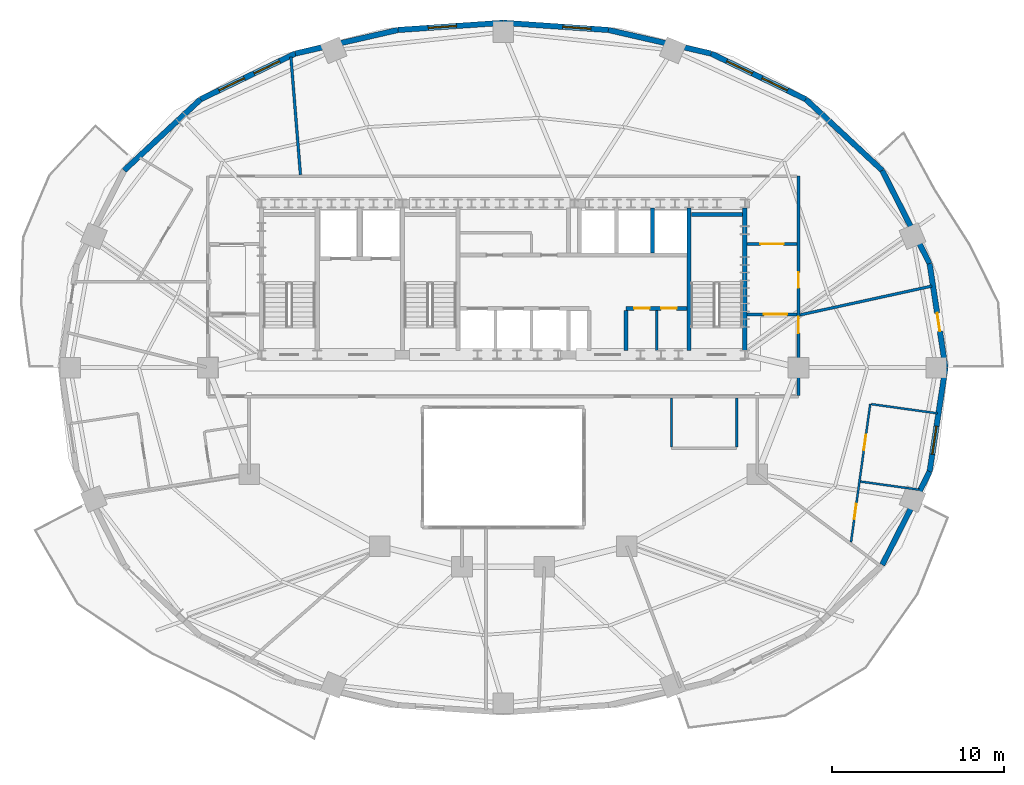
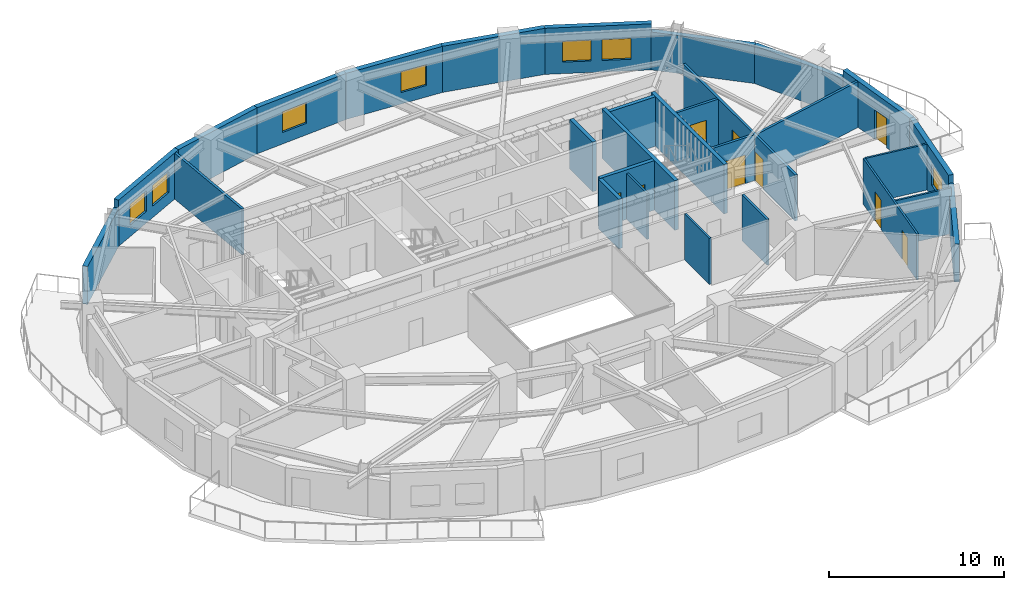
# One storey, part 8 of 12: 29 walls, 9 doors, 7 windows, 16 openings.
"""IFC4 building model written with IfcOpenShell, lengths in metres."""

from ifc_helpers import new_model, si_unit, direction, frame, frame_2d, origin, place, context, subcontext, project, spatial, rectangle, extrude, material, layer, layer_set, type_object, element, fill, save


model = new_model("IFC4")

# Units and contexts
model_context = context("Model", 3, precision=1e-05, world=origin(), true_north=direction((0.0, 1.0)))
body_context = subcontext(model_context, "Body", "Model", "MODEL_VIEW")
ifc_project = project(units=[si_unit("LENGTHUNIT", "METRE"), si_unit("AREAUNIT", "SQUARE_METRE"), si_unit("VOLUMEUNIT", "CUBIC_METRE"), si_unit("PLANEANGLEUNIT", "RADIAN"), si_unit("MASSUNIT", "GRAM", prefix="KILO")], contexts=[model_context])

# Site, building, storey
site_placement = place(None, origin())
site = spatial("IfcSite", under=ifc_project, at=site_placement, CompositionType="ELEMENT")
building_placement = place(site_placement, origin())
building = spatial("IfcBuilding", under=site, at=building_placement, Name="Haldorwick Loom Tower", CompositionType="ELEMENT")
storey_placement = place(building_placement, frame((0.0, 0.0, 154.449951171875)))
storey = spatial("IfcBuildingStorey", under=building, at=storey_placement, Name="L41", CompositionType="ELEMENT", Elevation=154.449951171875)

# Wall, opening, door
ifc_material_1 = material(Name="Pressed Clay Face Brick and Insulated Masonry Backup Assembly", Category="masonry")
ifc_layer_1 = layer(ifc_material_1, 0.320068359375, Name="Pressed Clay Face Brick and Insulated Masonry Backup Assembly", Category="masonry")
ifc_layer_set_1 = layer_set([ifc_layer_1], Name="Pressed Clay Face Brick and Insulated Masonry Backup Assembly")
wall_type_1 = type_object("IfcWallType", Name="ARC-WL-EXT320", PredefinedType="STANDARD", material=ifc_layer_set_1)
wall_1_placement = place(storey_placement, frame((61.757080078125, 26.0, 0.0), z_axis=(0.0, 0.0, 1.0), x_axis=(-0.150544467684, 0.988603238539, 0.0)))
wall_1 = element("IfcWall", 1, at=wall_1_placement, inside=storey, type_object=wall_type_1, Name="L41 Brick Pier and Spandrel Wall 1", PredefinedType="STANDARD", context=body_context, shape_type="SweptSolid", body=[
    extrude(rectangle(XDim=6.125244140625, YDim=0.320068359375, at=frame_2d((3.0625, 0.0))), origin(), (0.0, 0.0, 1.0), 3.2099609375),
])
opening_1_placement = place(wall_1_placement, frame((2.1337890625, 0.0, 0.0)))
opening_1 = element("IfcOpeningElement", 2, at=opening_1_placement, cuts=wall_1, Name="Opening D-BL11", PredefinedType="OPENING", context=body_context, shape_type="SweptSolid", body=[
    extrude(rectangle(XDim=1.080078125, YDim=2.0400390625, at=frame_2d((0.5400390625, 1.02001953125))), frame((0.0, 0.169921875, 0.0), z_axis=(0.0, -1.0, 0.0), x_axis=(1.0, 0.0, 0.0)), (0.0, 0.0, 1.0), 0.340087890625),
])
ifc_material_2 = material(Name="Thermally Broken Anodized Aluminium Curtain Wall Framing", Category="aluminium")
door_type_1 = type_object("IfcDoorType", Name="ARC-DR-BAL110", OperationType="NOTDEFINED", PredefinedType="DOOR", material=ifc_material_2)
door_1_placement = place(opening_1_placement, origin())
door_1 = element("IfcDoor", 3, at=door_1_placement, inside=storey, type_object=door_type_1, Name="L41 Outdoor Terrace Door SLB-L41-BAL_ENE", OperationType="SINGLE_SWING_RIGHT", OverallHeight=2.0400390625, OverallWidth=1.080078125, PredefinedType="DOOR", context=body_context, shape_type="SweptSolid", body=[
    extrude(rectangle(XDim=1.080078125, YDim=2.0400390625, at=frame_2d((0.5400390625, 1.02001953125))), frame((0.0, 0.02490234375, 0.0), z_axis=(0.0, -1.0, 0.0), x_axis=(1.0, 0.0, 0.0)), (0.0, 0.0, 1.0), 0.050048828125),
])
fill(opening_1, door_1)

# Walls
wall_2_placement = place(storey_placement, frame((60.8349609375, 32.055419921875, 0.0), z_axis=(0.0, 0.0, 1.0), x_axis=(-0.453172129629, 0.89142303141, 0.0)))
element("IfcWall", 4, at=wall_2_placement, inside=storey, type_object=wall_type_1, Name="L41 Brick Pier and Spandrel Wall 2", PredefinedType="STANDARD", context=body_context, shape_type="SweptSolid", body=[
    extrude(rectangle(XDim=6.086669921875, YDim=0.320068359375, at=frame_2d((3.04345703125, 0.0))), origin(), (0.0, 0.0, 1.0), 2.64111328125),
])
wall_3_placement = place(storey_placement, frame((58.07666015625, 37.481201171875, 0.0), z_axis=(0.0, 0.0, 1.0), x_axis=(-0.732001571644, 0.681302942244, 0.0)))
element("IfcWall", 5, at=wall_3_placement, inside=storey, type_object=wall_type_1, Name="L41 Brick Pier and Spandrel Wall 3", PredefinedType="STANDARD", context=body_context, shape_type="SweptSolid", body=[
    extrude(rectangle(XDim=6.0869140625, YDim=0.320068359375, at=frame_2d((3.04345703125, 0.0))), origin(), (0.0, 0.0, 1.0), 2.64111328125),
])

# Wall, openings, windows
wall_4_placement = place(storey_placement, frame((53.62109375, 41.628173828125, 0.0), z_axis=(0.0, 0.0, 1.0), x_axis=(-0.900472429216, 0.43491309962, 0.0)))
wall_4 = element("IfcWall", 6, at=wall_4_placement, inside=storey, type_object=wall_type_1, Name="L41 Brick Pier and Spandrel Wall 4", PredefinedType="STANDARD", context=body_context, shape_type="SweptSolid", body=[
    extrude(rectangle(XDim=6.1181640625, YDim=0.320068359375, at=frame_2d((3.05908203125, 0.0))), origin(), (0.0, 0.0, 1.0), 3.2099609375),
])
opening_2_placement = place(wall_4_placement, frame((1.181884765625, 0.0, 0.800048828125)))
opening_2 = element("IfcOpeningElement", 7, at=opening_2_placement, cuts=wall_4, Name="Opening W-01B", PredefinedType="OPENING", context=body_context, shape_type="SweptSolid", body=[
    extrude(rectangle(XDim=1.64990234375, YDim=1.449951171875, at=frame_2d((0.824951171875, 0.72509765625))), frame((0.0, 0.169921875, 0.0), z_axis=(0.0, -1.0, 0.0), x_axis=(1.0, 0.0, 0.0)), (0.0, 0.0, 1.0), 0.340087890625),
])
opening_3_placement = place(wall_4_placement, frame((3.4580078125, 0.0, 0.800048828125)))
opening_3 = element("IfcOpeningElement", 8, at=opening_3_placement, cuts=wall_4, Name="Opening W-01B", PredefinedType="OPENING", context=body_context, shape_type="SweptSolid", body=[
    extrude(rectangle(XDim=1.64990234375, YDim=1.449951171875, at=frame_2d((0.824951171875, 0.72509765625))), frame((0.0, 0.169921875, 0.0), z_axis=(0.0, -1.0, 0.0), x_axis=(1.0, 0.0, 0.0)), (0.0, 0.0, 1.0), 0.340087890625),
])
ifc_material_3 = material(Name="Triple-Glazed Low-E Argon Insulated Glazing Unit", Category="glass")
window_type = type_object("IfcWindowType", Name="ARC-WIN-W165", PartitioningType="SINGLE_PANEL", PredefinedType="WINDOW", material=ifc_material_3)
window_1_placement = place(opening_2_placement, origin())
window_1 = element("IfcWindow", 9, at=window_1_placement, inside=storey, type_object=window_type, Name="L41 Deep-Set Zone 7A Window 4", OverallHeight=1.449951171875, OverallWidth=1.64990234375, PartitioningType="SINGLE_PANEL", PredefinedType="WINDOW", context=body_context, shape_type="SweptSolid", body=[
    extrude(rectangle(XDim=1.64990234375, YDim=1.449951171875, at=frame_2d((0.824951171875, 0.72509765625))), frame((0.0, 0.030029296875, 0.0), z_axis=(0.0, -1.0, 0.0), x_axis=(1.0, 0.0, 0.0)), (0.0, 0.0, 1.0), 0.06005859375),
])
fill(opening_2, window_1)
window_2_placement = place(opening_3_placement, origin())
window_2 = element("IfcWindow", 10, at=window_2_placement, inside=storey, type_object=window_type, Name="L41 Deep-Set Zone 7A Window 4", OverallHeight=1.449951171875, OverallWidth=1.64990234375, PartitioningType="SINGLE_PANEL", PredefinedType="WINDOW", context=body_context, shape_type="SweptSolid", body=[
    extrude(rectangle(XDim=1.64990234375, YDim=1.449951171875, at=frame_2d((0.824951171875, 0.72509765625))), frame((0.0, 0.030029296875, 0.0), z_axis=(0.0, -1.0, 0.0), x_axis=(1.0, 0.0, 0.0)), (0.0, 0.0, 1.0), 0.06005859375),
])
fill(opening_3, window_2)

# Wall
wall_5_placement = place(storey_placement, frame((48.11181640625, 44.2890625, 0.0), z_axis=(0.0, 0.0, 1.0), x_axis=(-0.974593223547, 0.223982250674, 0.0)))
element("IfcWall", 11, at=wall_5_placement, inside=storey, type_object=wall_type_1, Name="L41 Brick Pier and Spandrel Wall 5", PredefinedType="STANDARD", context=body_context, shape_type="SweptSolid", body=[
    extrude(rectangle(XDim=6.138916015625, YDim=0.320068359375, at=frame_2d((3.0693359375, 0.0))), origin(), (0.0, 0.0, 1.0), 3.2099609375),
])

# Wall, opening, window
wall_6_placement = place(storey_placement, frame((42.12890625, 45.6640625, 0.0), z_axis=(0.0, 0.0, 1.0), x_axis=(-0.997652942988, 0.068473391522, 0.0)))
wall_6 = element("IfcWall", 12, at=wall_6_placement, inside=storey, type_object=wall_type_1, Name="L41 Brick Pier and Spandrel Wall 6", PredefinedType="STANDARD", context=body_context, shape_type="SweptSolid", body=[
    extrude(rectangle(XDim=6.143310546875, YDim=0.320068359375, at=frame_2d((3.07177734375, 0.0))), origin(), (0.0, 0.0, 1.0), 3.2099609375),
])
opening_4_placement = place(wall_6_placement, frame((1.01806640625, 0.0, 0.800048828125)))
opening_4 = element("IfcOpeningElement", 13, at=opening_4_placement, cuts=wall_6, Name="Opening W-01B", PredefinedType="OPENING", context=body_context, shape_type="SweptSolid", body=[
    extrude(rectangle(XDim=1.64990234375, YDim=1.449951171875, at=frame_2d((0.824951171875, 0.72509765625))), frame((0.0, 0.169921875, 0.0), z_axis=(0.0, -1.0, 0.0), x_axis=(1.0, 0.0, 0.0)), (0.0, 0.0, 1.0), 0.340087890625),
])
window_3_placement = place(opening_4_placement, origin())
window_3 = element("IfcWindow", 14, at=window_3_placement, inside=storey, type_object=window_type, Name="L41 Deep-Set Zone 7A Window 6", OverallHeight=1.449951171875, OverallWidth=1.64990234375, PartitioningType="SINGLE_PANEL", PredefinedType="WINDOW", context=body_context, shape_type="SweptSolid", body=[
    extrude(rectangle(XDim=1.64990234375, YDim=1.449951171875, at=frame_2d((0.824951171875, 0.72509765625))), frame((0.0, 0.030029296875, 0.0), z_axis=(0.0, -1.0, 0.0), x_axis=(1.0, 0.0, 0.0)), (0.0, 0.0, 1.0), 0.06005859375),
])
fill(opening_4, window_3)

wall_7_placement = place(storey_placement, frame((36.0, 46.084716796875, 0.0), z_axis=(0.0, 0.0, 1.0), x_axis=(-0.997652942988, -0.068473391522, 0.0)))
wall_7 = element("IfcWall", 15, at=wall_7_placement, inside=storey, type_object=wall_type_1, Name="L41 Brick Pier and Spandrel Wall 7", PredefinedType="STANDARD", context=body_context, shape_type="SweptSolid", body=[
    extrude(rectangle(XDim=6.143310546875, YDim=0.320068359375, at=frame_2d((3.07177734375, 0.0))), origin(), (0.0, 0.0, 1.0), 3.2099609375),
])
opening_5_placement = place(wall_7_placement, frame((2.723388671875, 0.0, 0.800048828125)))
opening_5 = element("IfcOpeningElement", 16, at=opening_5_placement, cuts=wall_7, Name="Opening W-01B", PredefinedType="OPENING", context=body_context, shape_type="SweptSolid", body=[
    extrude(rectangle(XDim=1.64990234375, YDim=1.449951171875, at=frame_2d((0.824951171875, 0.72509765625))), frame((0.0, 0.169921875, 0.0), z_axis=(0.0, -1.0, 0.0), x_axis=(1.0, 0.0, 0.0)), (0.0, 0.0, 1.0), 0.340087890625),
])
window_4_placement = place(opening_5_placement, origin())
window_4 = element("IfcWindow", 17, at=window_4_placement, inside=storey, type_object=window_type, Name="L41 Deep-Set Zone 7A Window 7", OverallHeight=1.449951171875, OverallWidth=1.64990234375, PartitioningType="SINGLE_PANEL", PredefinedType="WINDOW", context=body_context, shape_type="SweptSolid", body=[
    extrude(rectangle(XDim=1.64990234375, YDim=1.449951171875, at=frame_2d((0.824951171875, 0.72509765625))), frame((0.0, 0.030029296875, 0.0), z_axis=(0.0, -1.0, 0.0), x_axis=(1.0, 0.0, 0.0)), (0.0, 0.0, 1.0), 0.06005859375),
])
fill(opening_5, window_4)

# Wall
wall_8_placement = place(storey_placement, frame((29.87109375, 45.6640625, 0.0), z_axis=(0.0, 0.0, 1.0), x_axis=(-0.974593223547, -0.223982250674, 0.0)))
element("IfcWall", 18, at=wall_8_placement, inside=storey, type_object=wall_type_1, Name="L41 Brick Pier and Spandrel Wall 8", PredefinedType="STANDARD", context=body_context, shape_type="SweptSolid", body=[
    extrude(rectangle(XDim=6.138916015625, YDim=0.320068359375, at=frame_2d((3.0693359375, 0.0))), origin(), (0.0, 0.0, 1.0), 3.2099609375),
])

# Wall, openings, windows
wall_9_placement = place(storey_placement, frame((23.88818359375, 44.2890625, 0.0), z_axis=(0.0, 0.0, 1.0), x_axis=(-0.900479976617, -0.434897472644, 0.0)))
wall_9 = element("IfcWall", 19, at=wall_9_placement, inside=storey, type_object=wall_type_1, Name="L41 Brick Pier and Spandrel Wall 9", PredefinedType="STANDARD", context=body_context, shape_type="SweptSolid", body=[
    extrude(rectangle(XDim=6.118408203125, YDim=0.320068359375, at=frame_2d((3.05908203125, 0.0))), origin(), (0.0, 0.0, 1.0), 3.2099609375),
])
opening_6_placement = place(wall_9_placement, frame((1.010498046875, 0.0, 0.800048828125)))
opening_6 = element("IfcOpeningElement", 20, at=opening_6_placement, cuts=wall_9, Name="Opening W-01B", PredefinedType="OPENING", context=body_context, shape_type="SweptSolid", body=[
    extrude(rectangle(XDim=1.64990234375, YDim=1.449951171875, at=frame_2d((0.824951171875, 0.72509765625))), frame((0.0, 0.169921875, 0.0), z_axis=(0.0, -1.0, 0.0), x_axis=(1.0, 0.0, 0.0)), (0.0, 0.0, 1.0), 0.340087890625),
])
opening_7_placement = place(wall_9_placement, frame((3.28662109375, 0.0, 0.800048828125)))
opening_7 = element("IfcOpeningElement", 21, at=opening_7_placement, cuts=wall_9, Name="Opening W-01B", PredefinedType="OPENING", context=body_context, shape_type="SweptSolid", body=[
    extrude(rectangle(XDim=1.64990234375, YDim=1.449951171875, at=frame_2d((0.824951171875, 0.72509765625))), frame((0.0, 0.169921875, 0.0), z_axis=(0.0, -1.0, 0.0), x_axis=(1.0, 0.0, 0.0)), (0.0, 0.0, 1.0), 0.340087890625),
])
window_5_placement = place(opening_6_placement, origin())
window_5 = element("IfcWindow", 22, at=window_5_placement, inside=storey, type_object=window_type, Name="L41 Deep-Set Zone 7A Window 9", OverallHeight=1.449951171875, OverallWidth=1.64990234375, PartitioningType="SINGLE_PANEL", PredefinedType="WINDOW", context=body_context, shape_type="SweptSolid", body=[
    extrude(rectangle(XDim=1.64990234375, YDim=1.449951171875, at=frame_2d((0.824951171875, 0.72509765625))), frame((0.0, 0.030029296875, 0.0), z_axis=(0.0, -1.0, 0.0), x_axis=(1.0, 0.0, 0.0)), (0.0, 0.0, 1.0), 0.06005859375),
])
fill(opening_6, window_5)
window_6_placement = place(opening_7_placement, origin())
window_6 = element("IfcWindow", 23, at=window_6_placement, inside=storey, type_object=window_type, Name="L41 Deep-Set Zone 7A Window 9", OverallHeight=1.449951171875, OverallWidth=1.64990234375, PartitioningType="SINGLE_PANEL", PredefinedType="WINDOW", context=body_context, shape_type="SweptSolid", body=[
    extrude(rectangle(XDim=1.64990234375, YDim=1.449951171875, at=frame_2d((0.824951171875, 0.72509765625))), frame((0.0, 0.030029296875, 0.0), z_axis=(0.0, -1.0, 0.0), x_axis=(1.0, 0.0, 0.0)), (0.0, 0.0, 1.0), 0.06005859375),
])
fill(opening_7, window_6)

# Walls
for number, where, z_axis, x_axis, name in (
    (24, (18.378662109375, 41.628173828125, 0.0), (0.0, 0.0, 1.0), (-0.731982952968, -0.681322945866, 0.0), "L41 Brick Pier and Spandrel Wall 10"),
    (25, (58.07666015625, 14.518798828125, 0.0), (0.0, 0.0, 1.0), (0.453172129629, 0.89142303141, 0.0), "L41 Brick Pier and Spandrel Wall 23"),
):
    element("IfcWall", number, at=place(storey_placement, frame(where, z_axis=z_axis, x_axis=x_axis)), inside=storey, type_object=wall_type_1, Name=name, PredefinedType="STANDARD", context=body_context, shape_type="SweptSolid", body=[
        extrude(rectangle(XDim=6.086669921875, YDim=0.320068359375, at=frame_2d((3.04345703125, 0.0))), origin(), (0.0, 0.0, 1.0), 2.64111328125),
    ])

# Wall, opening, window
wall_10_placement = place(storey_placement, frame((60.8349609375, 19.944580078125, 0.0), z_axis=(0.0, 0.0, 1.0), x_axis=(0.150544467684, 0.988603238539, 0.0)))
wall_10 = element("IfcWall", 26, at=wall_10_placement, inside=storey, type_object=wall_type_1, Name="L41 Brick Pier and Spandrel Wall 24", PredefinedType="STANDARD", context=body_context, shape_type="SweptSolid", body=[
    extrude(rectangle(XDim=6.125244140625, YDim=0.320068359375, at=frame_2d((3.0625, 0.0))), origin(), (0.0, 0.0, 1.0), 3.2099609375),
])
opening_8_placement = place(wall_10_placement, frame((1.0126953125, 0.0, 0.800048828125)))
opening_8 = element("IfcOpeningElement", 27, at=opening_8_placement, cuts=wall_10, Name="Opening W-01B", PredefinedType="OPENING", context=body_context, shape_type="SweptSolid", body=[
    extrude(rectangle(XDim=1.64990234375, YDim=1.449951171875, at=frame_2d((0.824951171875, 0.72509765625))), frame((0.0, 0.169921875, 0.0), z_axis=(0.0, -1.0, 0.0), x_axis=(1.0, 0.0, 0.0)), (0.0, 0.0, 1.0), 0.340087890625),
])
window_7_placement = place(opening_8_placement, origin())
window_7 = element("IfcWindow", 28, at=window_7_placement, inside=storey, type_object=window_type, Name="L41 Deep-Set Zone 7A Window 24", OverallHeight=1.449951171875, OverallWidth=1.64990234375, PartitioningType="SINGLE_PANEL", PredefinedType="WINDOW", context=body_context, shape_type="SweptSolid", body=[
    extrude(rectangle(XDim=1.64990234375, YDim=1.449951171875, at=frame_2d((0.824951171875, 0.72509765625))), frame((0.0, 0.030029296875, 0.0), z_axis=(0.0, -1.0, 0.0), x_axis=(1.0, 0.0, 0.0)), (0.0, 0.0, 1.0), 0.06005859375),
])
fill(opening_8, window_7)

# Wall, openings, doors
ifc_material_4 = material(Name="Fire-Rated Type X Gypsum Stud Assembly EI 60")
ifc_layer_2 = layer(ifc_material_4, 0.159912109375, Name="Fire-Rated Type X Gypsum Stud Assembly EI 60")
ifc_layer_set_2 = layer_set([ifc_layer_2], Name="Fire-Rated Type X Gypsum Stud Assembly EI 60")
wall_type_2 = type_object("IfcWallType", Name="ARC-WL-FIRE160", PredefinedType="PARTITIONING", material=ifc_layer_set_2)
wall_11_placement = place(storey_placement, frame((53.199951171875, 24.383056640625, 0.0), z_axis=(0.0, 0.0, 1.0), x_axis=(0.0, 1.0, 0.0)))
wall_11 = element("IfcWall", 29, at=wall_11_placement, inside=storey, type_object=wall_type_2, Name="L41 Residential Fire Partition L41-CR-E0", PredefinedType="PARTITIONING", context=body_context, shape_type="SweptSolid", body=[
    extrude(rectangle(XDim=12.766845703125, YDim=0.159912109375, at=frame_2d((6.38330078125, 0.0))), origin(), (0.0, 0.0, 1.0), 3.195068359375),
])
opening_9_placement = place(wall_11_placement, frame((3.63232421875, 0.0, 0.0)))
opening_9 = element("IfcOpeningElement", 30, at=opening_9_placement, cuts=wall_11, Name="Opening D-FL95", PredefinedType="OPENING", context=body_context, shape_type="SweptSolid", body=[
    extrude(rectangle(XDim=0.949951171875, YDim=2.0400390625, at=frame_2d((0.47509765625, 1.02001953125))), frame((0.0, 0.08984375, 0.0), z_axis=(0.0, -1.0, 0.0), x_axis=(1.0, 0.0, 0.0)), (0.0, 0.0, 1.0), 0.179931640625),
])
opening_10_placement = place(wall_11_placement, frame((6.263671875, 0.0, 0.0)))
opening_10 = element("IfcOpeningElement", 31, at=opening_10_placement, cuts=wall_11, Name="Opening D-FD60A", PredefinedType="OPENING", context=body_context, shape_type="SweptSolid", body=[
    extrude(rectangle(XDim=0.89990234375, YDim=2.0, at=frame_2d((0.449951171875, 1.0))), frame((0.0, 0.08984375, 0.0), z_axis=(0.0, -1.0, 0.0), x_axis=(1.0, 0.0, 0.0)), (0.0, 0.0, 1.0), 0.179931640625),
])
ifc_material_5 = material(Name="Hollow Steel Fire Door Assembly", Category="steel")
door_type_2 = type_object("IfcDoorType", Name="ARC-DR-FD60-90", OperationType="NOTDEFINED", PredefinedType="DOOR", material=ifc_material_5)
door_2_placement = place(opening_10_placement, frame((0.89990234375, 0.0, 0.0), z_axis=(0.0, 0.0, 1.0), x_axis=(-1.0, 0.0, 0.0)))
door_2 = element("IfcDoor", 32, at=door_2_placement, inside=storey, type_object=door_type_2, Name="L41 L41 East Residential Corridor to Co-Working Open Office 7 Door", OperationType="SINGLE_SWING_RIGHT", OverallHeight=2.0, OverallWidth=0.89990234375, PredefinedType="DOOR", context=body_context, shape_type="SweptSolid", body=[
    extrude(rectangle(XDim=0.89990234375, YDim=2.0, at=frame_2d((0.449951171875, 1.0))), frame((0.0, 0.02490234375, 0.0), z_axis=(0.0, -1.0, 0.0), x_axis=(1.0, 0.0, 0.0)), (0.0, 0.0, 1.0), 0.050048828125),
])
fill(opening_10, door_2)
ifc_material_6 = material(Name="Solid Core Birch Architectural Door")
door_type_3 = type_object("IfcDoorType", Name="ARC-DR-FLAT95", OperationType="NOTDEFINED", PredefinedType="DOOR", material=ifc_material_6)
door_3_placement = place(opening_9_placement, origin())
door_3 = element("IfcDoor", 33, at=door_3_placement, inside=storey, type_object=door_type_3, Name="L41 L41 Central Residential Corridor to Unit 41C Kitchen and Penthouse L", OperationType="SINGLE_SWING_LEFT", OverallHeight=2.0400390625, OverallWidth=0.949951171875, PredefinedType="DOOR", context=body_context, shape_type="SweptSolid", body=[
    extrude(rectangle(XDim=0.949951171875, YDim=2.0400390625, at=frame_2d((0.47509765625, 1.02001953125))), frame((0.0, 0.02490234375, 0.0), z_axis=(0.0, -1.0, 0.0), x_axis=(1.0, 0.0, 0.0)), (0.0, 0.0, 1.0), 0.050048828125),
])
fill(opening_9, door_3)

# Wall, opening, door
wall_12_placement = place(storey_placement, frame((50.193115234375, 29.10009765625, 0.0), z_axis=(0.0, 0.0, 1.0), x_axis=(1.0, 0.0, 0.0)))
wall_12 = element("IfcWall", 34, at=wall_12_placement, inside=storey, type_object=wall_type_2, Name="L41 Residential Fire Partition L41-CR-ESJ", PredefinedType="PARTITIONING", context=body_context, shape_type="SweptSolid", body=[
    extrude(rectangle(XDim=2.923828125, YDim=0.159912109375, at=frame_2d((1.4619140625, 0.0))), origin(), (0.0, 0.0, 1.0), 3.195068359375),
])
opening_11_placement = place(wall_12_placement, frame((0.99560546875, 0.0, 0.0)))
opening_11 = element("IfcOpeningElement", 35, at=opening_11_placement, cuts=wall_12, Name="Opening D-CR15", PredefinedType="OPENING", context=body_context, shape_type="SweptSolid", body=[
    extrude(rectangle(XDim=1.35009765625, YDim=2.0, at=frame_2d((0.675048828125, 1.0))), frame((0.0, 0.08984375, 0.0), z_axis=(0.0, -1.0, 0.0), x_axis=(1.0, 0.0, 0.0)), (0.0, 0.0, 1.0), 0.179931640625),
])
ifc_material_7 = material(Name="Thermally Broken Anodized Aluminium and Tempered Glass", Category="aluminium")
door_type_4 = type_object("IfcDoorType", Name="ARC-DR-COR150", OperationType="NOTDEFINED", PredefinedType="DOOR", material=ifc_material_7)
door_4_placement = place(opening_11_placement, origin())
door_4 = element("IfcDoor", 36, at=door_4_placement, inside=storey, type_object=door_type_4, Name="L41 L41 East Residential Corridor to L41 Central Residential Corridor Do", OperationType="DOUBLE_DOOR_SINGLE_SWING", OverallHeight=2.0, OverallWidth=1.35009765625, PredefinedType="DOOR", context=body_context, shape_type="SweptSolid", body=[
    extrude(rectangle(XDim=1.35009765625, YDim=2.0, at=frame_2d((0.675048828125, 1.0))), frame((0.0, 0.02490234375, 0.0), z_axis=(0.0, -1.0, 0.0), x_axis=(1.0, 0.0, 0.0)), (0.0, 0.0, 1.0), 0.050048828125),
])
fill(opening_11, door_4)

wall_13_placement = place(storey_placement, frame((50.193115234375, 33.199951171875, 0.0), z_axis=(0.0, 0.0, 1.0), x_axis=(1.0, 0.0, 0.0)))
wall_13 = element("IfcWall", 37, at=wall_13_placement, inside=storey, type_object=wall_type_2, Name="L41 Residential Fire Partition L41-CR-ENJ", PredefinedType="PARTITIONING", context=body_context, shape_type="SweptSolid", body=[
    extrude(rectangle(XDim=2.923828125, YDim=0.159912109375, at=frame_2d((1.4619140625, 0.0))), origin(), (0.0, 0.0, 1.0), 3.195068359375),
])
opening_12_placement = place(wall_13_placement, frame((0.787109375, 0.0, 0.0)))
opening_12 = element("IfcOpeningElement", 38, at=opening_12_placement, cuts=wall_13, Name="Opening D-CR15", PredefinedType="OPENING", context=body_context, shape_type="SweptSolid", body=[
    extrude(rectangle(XDim=1.35009765625, YDim=2.0, at=frame_2d((0.675048828125, 1.0))), frame((0.0, 0.08984375, 0.0), z_axis=(0.0, -1.0, 0.0), x_axis=(1.0, 0.0, 0.0)), (0.0, 0.0, 1.0), 0.179931640625),
])
door_5_placement = place(opening_12_placement, origin())
door_5 = element("IfcDoor", 39, at=door_5_placement, inside=storey, type_object=door_type_4, Name="L41 L41 North Residential Corridor to L41 East Residential Corridor Door", OperationType="DOUBLE_DOOR_SINGLE_SWING", OverallHeight=2.0, OverallWidth=1.35009765625, PredefinedType="DOOR", context=body_context, shape_type="SweptSolid", body=[
    extrude(rectangle(XDim=1.35009765625, YDim=2.0, at=frame_2d((0.675048828125, 1.0))), frame((0.0, 0.02490234375, 0.0), z_axis=(0.0, -1.0, 0.0), x_axis=(1.0, 0.0, 0.0)), (0.0, 0.0, 1.0), 0.050048828125),
])
fill(opening_12, door_5)

# Walls
wall_14_placement = place(storey_placement, frame((24.193359375, 37.23291015625, 0.0), z_axis=(0.0, 0.0, 1.0), x_axis=(-0.08081206035, 0.996729356898, 0.0)))
element("IfcWall", 40, at=wall_14_placement, inside=storey, type_object=wall_type_2, Name="L41 Residential Fire Partition L41-UPN-13", PredefinedType="PARTITIONING", context=body_context, shape_type="SweptSolid", body=[
    extrude(rectangle(XDim=6.885009765625, YDim=0.159912109375, at=frame_2d((3.4423828125, 0.0))), origin(), (0.0, 0.0, 1.0), 3.195068359375),
])
wall_15_placement = place(storey_placement, frame((53.282958984375, 29.06884765625, 0.0), z_axis=(0.0, 0.0, 1.0), x_axis=(0.976931186981, 0.213554339463, 0.0)))
element("IfcWall", 41, at=wall_15_placement, inside=storey, type_object=wall_type_2, Name="L41 Suite Split Wall", PredefinedType="PARTITIONING", context=body_context, shape_type="SweptSolid", body=[
    extrude(rectangle(XDim=7.866455078125, YDim=0.159912109375, at=frame_2d((3.93310546875, 0.0))), origin(), (0.0, 0.0, 1.0), 3.195068359375),
])

# Wall, openings, doors
ifc_material_8 = material(Name="Acoustic Gypsum Stud Assembly STC 55")
ifc_layer_3 = layer(ifc_material_8, 0.1201171875, Name="Acoustic Gypsum Stud Assembly STC 55")
ifc_layer_set_3 = layer_set([ifc_layer_3], Name="Acoustic Gypsum Stud Assembly STC 55")
wall_type_3 = type_object("IfcWallType", Name="ARC-WL-PART120", PredefinedType="PARTITIONING", material=ifc_layer_set_3)
wall_16_placement = place(storey_placement, frame((56.2568359375, 15.831787109375, 0.0), z_axis=(0.0, 0.0, 1.0), x_axis=(0.1379130141, 0.990444345, 0.0)))
wall_16 = element("IfcWall", 42, at=wall_16_placement, inside=storey, type_object=wall_type_3, Name="L41 Unit 41C Interior Partition", PredefinedType="PARTITIONING", context=body_context, shape_type="SweptSolid", body=[
    extrude(rectangle(XDim=8.127197265625, YDim=0.1201171875, at=frame_2d((4.0634765625, 0.0))), origin(), (0.0, 0.0, 1.0), 3.195068359375),
])
opening_13_placement = place(wall_16_placement, frame((5.419921875, 0.0, 0.0)))
opening_13 = element("IfcOpeningElement", 43, at=opening_13_placement, cuts=wall_16, Name="Opening D-IN90", PredefinedType="OPENING", context=body_context, shape_type="SweptSolid", body=[
    extrude(rectangle(XDim=0.89990234375, YDim=2.0400390625, at=frame_2d((0.449951171875, 1.02001953125))), frame((0.0, 0.070068359375, 0.0), z_axis=(0.0, -1.0, 0.0), x_axis=(1.0, 0.0, 0.0)), (0.0, 0.0, 1.0), 0.14013671875),
])
opening_14_placement = place(wall_16_placement, frame((1.3662109375, 0.0, 0.0)))
opening_14 = element("IfcOpeningElement", 44, at=opening_14_placement, cuts=wall_16, Name="Opening D-BT88", PredefinedType="OPENING", context=body_context, shape_type="SweptSolid", body=[
    extrude(rectangle(XDim=0.8798828125, YDim=2.02001953125, at=frame_2d((0.43994140625, 1.010009765625))), frame((0.0, 0.070068359375, 0.0), z_axis=(0.0, -1.0, 0.0), x_axis=(1.0, 0.0, 0.0)), (0.0, 0.0, 1.0), 0.14013671875),
])
door_type_5 = type_object("IfcDoorType", Name="ARC-DR-BATH88", OperationType="NOTDEFINED", PredefinedType="DOOR", material=ifc_material_6)
door_6_placement = place(opening_14_placement, origin())
door_6 = element("IfcDoor", 45, at=door_6_placement, inside=storey, type_object=door_type_5, Name="L41 Unit 41C Kitchen and Penthouse Living Room to Unit 41C Bathroom Door", OperationType="SINGLE_SWING_RIGHT", OverallHeight=2.02001953125, OverallWidth=0.8798828125, PredefinedType="DOOR", context=body_context, shape_type="SweptSolid", body=[
    extrude(rectangle(XDim=0.8798828125, YDim=2.02001953125, at=frame_2d((0.43994140625, 1.010009765625))), frame((0.0, 0.02490234375, 0.0), z_axis=(0.0, -1.0, 0.0), x_axis=(1.0, 0.0, 0.0)), (0.0, 0.0, 1.0), 0.050048828125),
])
fill(opening_14, door_6)
door_type_6 = type_object("IfcDoorType", Name="ARC-DR-INT90", OperationType="NOTDEFINED", PredefinedType="DOOR", material=ifc_material_6)
door_7_placement = place(opening_13_placement, origin())
door_7 = element("IfcDoor", 46, at=door_7_placement, inside=storey, type_object=door_type_6, Name="L41 Unit 41C Kitchen and Penthouse Living Room to Unit 41C Bedroom 1 Doo", OperationType="SINGLE_SWING_RIGHT", OverallHeight=2.0400390625, OverallWidth=0.89990234375, PredefinedType="DOOR", context=body_context, shape_type="SweptSolid", body=[
    extrude(rectangle(XDim=0.89990234375, YDim=2.0400390625, at=frame_2d((0.449951171875, 1.02001953125))), frame((0.0, 0.02490234375, 0.0), z_axis=(0.0, -1.0, 0.0), x_axis=(1.0, 0.0, 0.0)), (0.0, 0.0, 1.0), 0.050048828125),
])
fill(opening_13, door_7)

# Walls
wall_17_placement = place(storey_placement, frame((57.440185546875, 23.872802734375, 0.0), z_axis=(0.0, 0.0, 1.0), x_axis=(0.990438888991, -0.137952191623, 0.0)))
element("IfcWall", 47, at=wall_17_placement, inside=storey, type_object=wall_type_3, Name="L41 Unit 41C Interior Partition", PredefinedType="PARTITIONING", context=body_context, shape_type="SweptSolid", body=[
    extrude(rectangle(XDim=3.8828125, YDim=0.1201171875, at=frame_2d((1.94140625, 0.0))), origin(), (0.0, 0.0, 1.0), 3.195068359375),
])
wall_18_placement = place(storey_placement, frame((56.812255859375, 19.36376953125, 0.0), z_axis=(0.0, 0.0, 1.0), x_axis=(0.99043936958, -0.137948741153, 0.0)))
element("IfcWall", 48, at=wall_18_placement, inside=storey, type_object=wall_type_3, Name="L41 Unit 41C Interior Partition", PredefinedType="PARTITIONING", context=body_context, shape_type="SweptSolid", body=[
    extrude(rectangle(XDim=3.44580078125, YDim=0.1201171875, at=frame_2d((1.722900390625, 0.0))), origin(), (0.0, 0.0, 1.0), 3.195068359375),
])
ifc_layer_4 = layer(ifc_material_4, 0.139892578125, Name="Fire-Rated Type X Gypsum Stud Assembly EI 60")
ifc_layer_set_4 = layer_set([ifc_layer_4], Name="Fire-Rated Type X Gypsum Stud Assembly EI 60")
wall_type_4 = type_object("IfcWallType", Name="ARC-WL-PART140", PredefinedType="PARTITIONING", material=ifc_layer_set_4)
wall_19_placement = place(storey_placement, frame((44.949951171875, 27.0029296875, 0.0), z_axis=(0.0, 0.0, 1.0), x_axis=(0.0, 1.0, 0.0)))
element("IfcWall", 49, at=wall_19_placement, inside=storey, type_object=wall_type_4, Name="L41 Service Partition", PredefinedType="PARTITIONING", context=body_context, shape_type="SweptSolid", body=[
    extrude(rectangle(XDim=2.323974609375, YDim=0.139892578125, at=frame_2d((1.162109375, 0.0))), origin(), (0.0, 0.0, 1.0), 3.195068359375),
])
for number, where, z_axis, x_axis, name in (
    (50, (45.800048828125, 21.373046875, 0.0), (0.0, 0.0, 1.0), (0.0, 1.0, 0.0), "L41 Residential Fire Partition L41-CWC-W"),
    (51, (49.60009765625, 21.373046875, 0.0), (0.0, 0.0, 1.0), (0.0, 1.0, 0.0), "L41 Residential Fire Partition L41-CWC-E"),
):
    element("IfcWall", number, at=place(storey_placement, frame(where, z_axis=z_axis, x_axis=x_axis)), inside=storey, type_object=wall_type_4, Name=name, PredefinedType="PARTITIONING", context=body_context, shape_type="SweptSolid", body=[
        extrude(rectangle(XDim=2.843994140625, YDim=0.139892578125, at=frame_2d((1.421875, 0.0))), origin(), (0.0, 0.0, 1.0), 3.195068359375),
    ])
ifc_material_9 = material(Name="Concrete C50 (50 MPa)", Category="concrete")
ifc_layer_5 = layer(ifc_material_9, 0.239990234375, Name="Concrete C50 (50 MPa)", Category="concrete")
ifc_layer_set_5 = layer_set([ifc_layer_5], Name="Concrete C50 (50 MPa)")
wall_type_5 = type_object("IfcWallType", Name="STR-WL-SHAFT240", PredefinedType="SHEAR", material=ifc_layer_set_5)
for number, where, z_axis, x_axis, name in (
    (52, (50.070068359375, 27.0029296875, 0.0), (0.0, 0.0, 1.0), (0.0, 1.0, 0.0), "L41 Core Shear Wall E"),
    (53, (46.830078125, 27.0029296875, 0.0), (0.0, 0.0, 1.0), (0.0, 1.0, 0.0), "L41 Core Shear Wall 4"),
):
    element("IfcWall", number, at=place(storey_placement, frame(where, z_axis=z_axis, x_axis=x_axis)), inside=storey, type_object=wall_type_5, Name=name, PredefinedType="SHEAR", context=body_context, shape_type="SweptSolid", body=[
        extrude(rectangle(XDim=8.294189453125, YDim=0.239990234375, at=frame_2d((4.14697265625, 0.0))), origin(), (0.0, 0.0, 1.0), 3.449951171875),
    ])
wall_20_placement = place(storey_placement, frame((46.952880859375, 34.919921875, 0.0), z_axis=(0.0, 0.0, 1.0), x_axis=(1.0, 0.0, 0.0)))
element("IfcWall", 54, at=wall_20_placement, inside=storey, type_object=wall_type_5, Name="L41 Core Shear Wall 4N", PredefinedType="SHEAR", context=body_context, shape_type="SweptSolid", body=[
    extrude(rectangle(XDim=2.994140625, YDim=0.239990234375, at=frame_2d((1.4970703125, 0.0))), origin(), (0.0, 0.0, 1.0), 3.449951171875),
])

# Wall, openings, doors
wall_21_placement = place(storey_placement, frame((43.14990234375, 29.449951171875, 0.0), z_axis=(0.0, 0.0, 1.0), x_axis=(1.0, 0.0, 0.0)))
wall_21 = element("IfcWall", 55, at=wall_21_placement, inside=storey, type_object=wall_type_5, Name="L41 Core Shear Wall LS2", PredefinedType="SHEAR", context=body_context, shape_type="SweptSolid", body=[
    extrude(rectangle(XDim=3.55712890625, YDim=0.239990234375, at=frame_2d((1.778564453125, 0.0))), origin(), (0.0, 0.0, 1.0), 3.449951171875),
])
opening_15_placement = place(wall_21_placement, frame((0.47998046875, 0.0, 0.0)))
opening_15 = element("IfcOpeningElement", 56, at=opening_15_placement, cuts=wall_21, Name="Opening D-FD60A", PredefinedType="OPENING", context=body_context, shape_type="SweptSolid", body=[
    extrude(rectangle(XDim=0.89990234375, YDim=2.0, at=frame_2d((0.449951171875, 1.0))), frame((0.0, 0.1298828125, 0.0), z_axis=(0.0, -1.0, 0.0), x_axis=(1.0, 0.0, 0.0)), (0.0, 0.0, 1.0), 0.260009765625),
])
opening_16_placement = place(wall_21_placement, frame((2.050048828125, 0.0, 0.0)))
opening_16 = element("IfcOpeningElement", 57, at=opening_16_placement, cuts=wall_21, Name="Opening D-FD60A", PredefinedType="OPENING", context=body_context, shape_type="SweptSolid", body=[
    extrude(rectangle(XDim=0.89990234375, YDim=2.0, at=frame_2d((0.449951171875, 1.0))), frame((0.0, 0.1298828125, 0.0), z_axis=(0.0, -1.0, 0.0), x_axis=(1.0, 0.0, 0.0)), (0.0, 0.0, 1.0), 0.260009765625),
])
door_8_placement = place(opening_15_placement, origin())
door_8 = element("IfcDoor", 58, at=door_8_placement, inside=storey, type_object=door_type_2, Name="L41 Electrical Room Door", OperationType="SINGLE_SWING_LEFT", OverallHeight=2.0, OverallWidth=0.89990234375, PredefinedType="DOOR", context=body_context, shape_type="SweptSolid", body=[
    extrude(rectangle(XDim=0.89990234375, YDim=2.0, at=frame_2d((0.449951171875, 1.0))), frame((0.0, 0.02490234375, 0.0), z_axis=(0.0, -1.0, 0.0), x_axis=(1.0, 0.0, 0.0)), (0.0, 0.0, 1.0), 0.050048828125),
])
fill(opening_15, door_8)
door_9_placement = place(opening_16_placement, origin())
door_9 = element("IfcDoor", 59, at=door_9_placement, inside=storey, type_object=door_type_2, Name="L41 Cleaner's Store Door", OperationType="SINGLE_SWING_LEFT", OverallHeight=2.0, OverallWidth=0.89990234375, PredefinedType="DOOR", context=body_context, shape_type="SweptSolid", body=[
    extrude(rectangle(XDim=0.89990234375, YDim=2.0, at=frame_2d((0.449951171875, 1.0))), frame((0.0, 0.02490234375, 0.0), z_axis=(0.0, -1.0, 0.0), x_axis=(1.0, 0.0, 0.0)), (0.0, 0.0, 1.0), 0.050048828125),
])
fill(opening_16, door_9)

# Walls
wall_22_placement = place(storey_placement, frame((43.14990234375, 27.0029296875, 0.0), z_axis=(0.0, 0.0, 1.0), x_axis=(0.0, 1.0, 0.0)))
element("IfcWall", 60, at=wall_22_placement, inside=storey, type_object=wall_type_5, Name="L41 Core Shear Wall THE", PredefinedType="SHEAR", context=body_context, shape_type="SweptSolid", body=[
    extrude(rectangle(XDim=2.323974609375, YDim=0.239990234375, at=frame_2d((1.162109375, 0.0))), origin(), (0.0, 0.0, 1.0), 3.449951171875),
])
wall_23_placement = place(storey_placement, frame((44.699951171875, 32.673095703125, 0.0), z_axis=(0.0, 0.0, 1.0), x_axis=(0.0, 1.0, 0.0)))
element("IfcWall", 61, at=wall_23_placement, inside=storey, type_object=wall_type_5, Name="L41 Core Shear Wall H2", PredefinedType="SHEAR", context=body_context, shape_type="SweptSolid", body=[
    extrude(rectangle(XDim=2.6240234375, YDim=0.239990234375, at=frame_2d((1.31201171875, 0.0))), origin(), (0.0, 0.0, 1.0), 3.449951171875),
])

save(model, "model.ifc")
